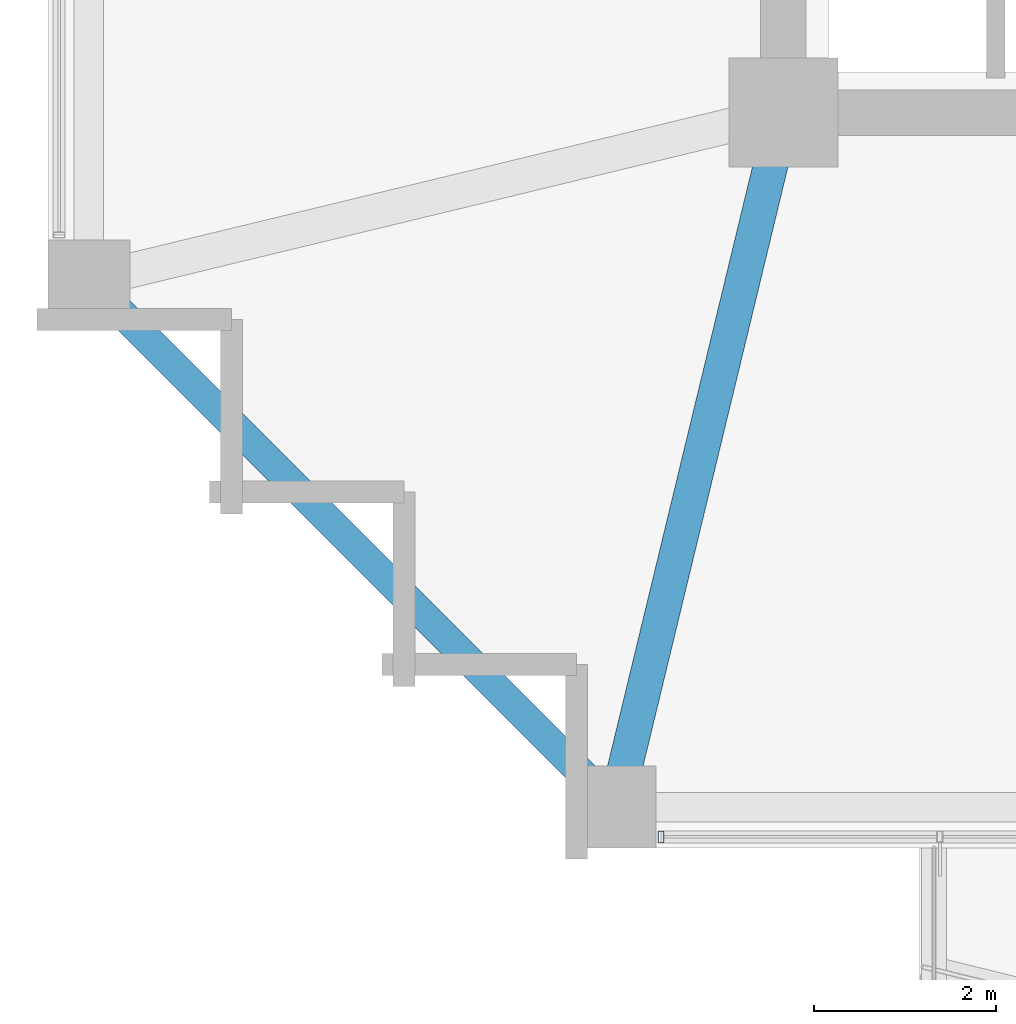
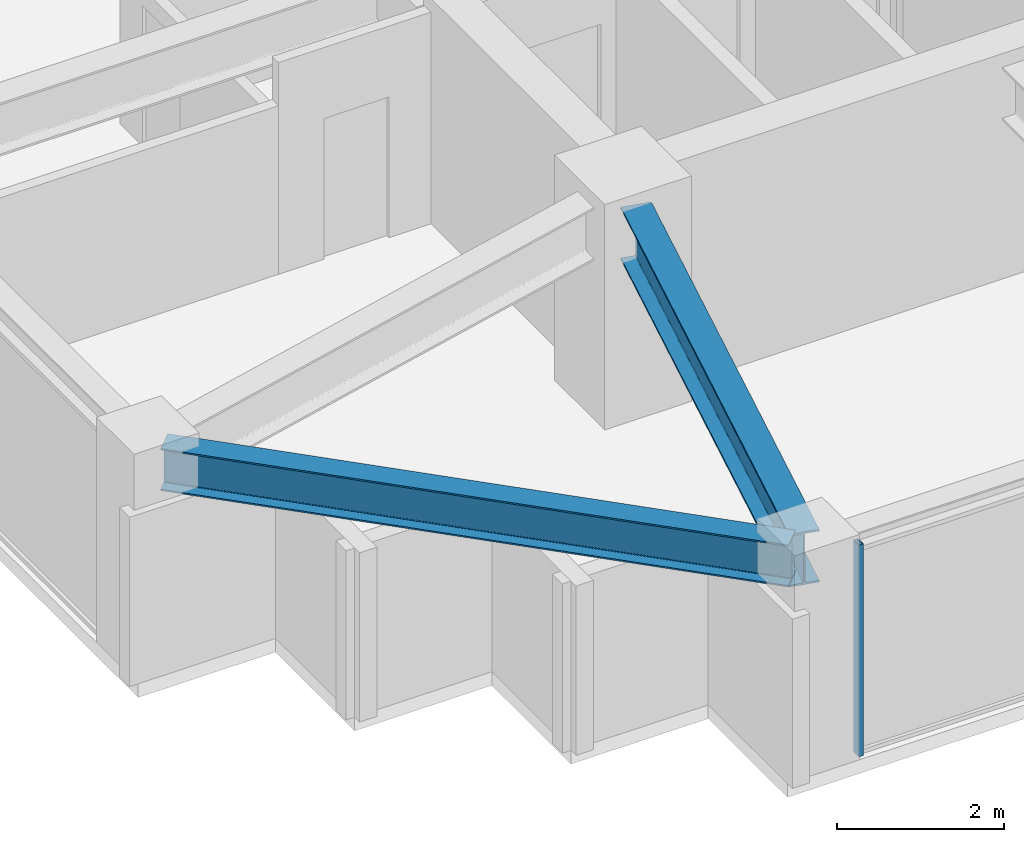
# One storey, part 2 of 31: 2 beams, 1 member, 1 element without a shape of its own.
"""IFC4 building model written with IfcOpenShell, lengths in metres."""

from ifc_helpers import new_model, si_unit, direction, frame, origin, origin_2d, place, context, subcontext, project, spatial, hollow_rectangle, i_section, extrude, material, material_profile, profile_set, type_object, element, aggregate, save


model = new_model("IFC4")

# Units and contexts
model_context = context("Model", 3, precision=1e-05, world=origin(), true_north=direction((0.0, 1.0)))
body_context = subcontext(model_context, "Body", "Model", "MODEL_VIEW")
ifc_project = project(units=[si_unit("LENGTHUNIT", "METRE"), si_unit("AREAUNIT", "SQUARE_METRE"), si_unit("VOLUMEUNIT", "CUBIC_METRE"), si_unit("PLANEANGLEUNIT", "RADIAN"), si_unit("MASSUNIT", "GRAM", prefix="KILO")], contexts=[model_context])

# Site, building, storey
site_placement = place(None, origin())
site = spatial("IfcSite", under=ifc_project, at=site_placement, CompositionType="ELEMENT")
building_placement = place(site_placement, origin())
building = spatial("IfcBuilding", under=site, at=building_placement, Name="Kolvaren Belvedere", CompositionType="ELEMENT")
storey_placement = place(building_placement, frame((0.0, 0.0, 131.60009765625)))
storey = spatial("IfcBuildingStorey", under=building, at=storey_placement, Name="L38", CompositionType="ELEMENT", Elevation=131.60009765625)

# Beams
ifc_material_1 = material(Name="Structural steel ASTM A992 Grade 50", Category="steel")
ifc_material_profile_1 = material_profile(ifc_material_1, i_section(OverallWidth=0.381103515625, OverallDepth=0.77294921875, WebThickness=0.0166015625, FlangeThickness=0.027099609375, FilletRadius=0.02392578125, at=origin_2d()), Name="W30X173")
ifc_profile_set_1 = profile_set([ifc_material_profile_1], Name="Structural steel ASTM A992 Grade 50")
beam_type_1 = type_object("IfcBeamType", Name="BM-GIRD-W30X173", PredefinedType="BEAM", material=ifc_profile_set_1)
beam_1_placement = place(storey_placement, frame((-10.029296875, -10.4345703125, 2.71337890625), z_axis=(-0.235062749937, -0.971980197119, 0.0), x_axis=(0.971980197119, -0.235062749937, 0.0)))
element("IfcBeam", 1, at=beam_1_placement, inside=storey, type_object=beam_type_1, Name="L38 Corner Core-to-Perimeter Girder CC1-S1", PredefinedType="BEAM", context=body_context, shape_type="SweptSolid", body=[
    extrude(i_section(OverallWidth=0.381103515625, OverallDepth=0.77294921875, WebThickness=0.0166015625, FlangeThickness=0.027099609375, FilletRadius=0.02392578125, at=origin_2d()), origin(), (0.0, 0.0, 1.0), 7.140625),
])
ifc_material_2 = material(Name="Structural steel ASTM A992 Grade 50", Category="steel")
ifc_material_profile_2 = material_profile(ifc_material_2, i_section(OverallWidth=0.324951171875, OverallDepth=0.615966796875, WebThickness=0.013916015625, FlangeThickness=0.021484375, FilletRadius=0.02001953125, at=origin_2d()), Name="W24X117")
ifc_profile_set_2 = profile_set([ifc_material_profile_2], Name="Structural steel ASTM A992 Grade 50")
beam_type_2 = type_object("IfcBeamType", Name="BM-SPAN-W24X117", PredefinedType="SPANDREL", material=ifc_profile_set_2)
beam_2_placement = place(storey_placement, frame((-17.40673828125, -11.893310546875, 2.7919921875), z_axis=(0.707106781187, -0.707106781187, 0.0), x_axis=(0.707106781187, 0.707106781187, 0.0)))
element("IfcBeam", 2, at=beam_2_placement, inside=storey, type_object=beam_type_2, Name="L38 Perimeter Spandrel W1-S1", PredefinedType="SPANDREL", context=body_context, shape_type="SweptSolid", body=[
    extrude(i_section(OverallWidth=0.324951171875, OverallDepth=0.615966796875, WebThickness=0.013916015625, FlangeThickness=0.021484375, FilletRadius=0.02001953125, at=origin_2d()), origin(), (0.0, 0.0, 1.0), 7.797119140625),
])

# Curtain wall, member
ifc_material_3 = material(Name="Anodised pale-metal aluminium AA 6063-T6", Category="aluminium")
curtain_wall_type = type_object("IfcCurtainWallType", Name="CW-Z3-WAIST", PredefinedType="NOTDEFINED", material=ifc_material_3)
curtain_wall_placement = place(storey_placement, origin())
curtain_wall = element("IfcCurtainWall", 3, at=curtain_wall_placement, inside=storey, type_object=curtain_wall_type, Name="L38 Unitised Curtain Wall FCW-L38-S2-B2", PredefinedType="NOTDEFINED")
ifc_material_4 = material(Name="Anodised pale-metal aluminium AA 6063-T6", Category="aluminium")
ifc_material_profile_3 = material_profile(ifc_material_4, hollow_rectangle(XDim=0.06494140625, YDim=0.1298828125, WallThickness=0.00390625, at=origin_2d()), Name="ALU-MUL-130X65")
ifc_profile_set_3 = profile_set([ifc_material_profile_3], Name="Anodised pale-metal aluminium AA 6063-T6")
member_type = type_object("IfcMemberType", Name="CW-MUL-130", PredefinedType="MULLION", material=ifc_profile_set_3)
member_placement = place(storey_placement, frame((-11.24755859375, -17.8798828125, 0.0), z_axis=(0.0, 0.0, 1.0), x_axis=(1.0, 0.0, 0.0)))
member = element("IfcMember", 4, at=member_placement, type_object=member_type, Name="FCW-L38-S2-B2 Unitised Mullion 3", PredefinedType="MULLION", context=body_context, shape_type="SweptSolid", body=[
    extrude(hollow_rectangle(XDim=0.06494140625, YDim=0.1298828125, WallThickness=0.00390625, at=origin_2d()), origin(), (0.0, 0.0, 1.0), 3.099853515625),
])
aggregate(curtain_wall, [member])

save(model, "model.ifc")
